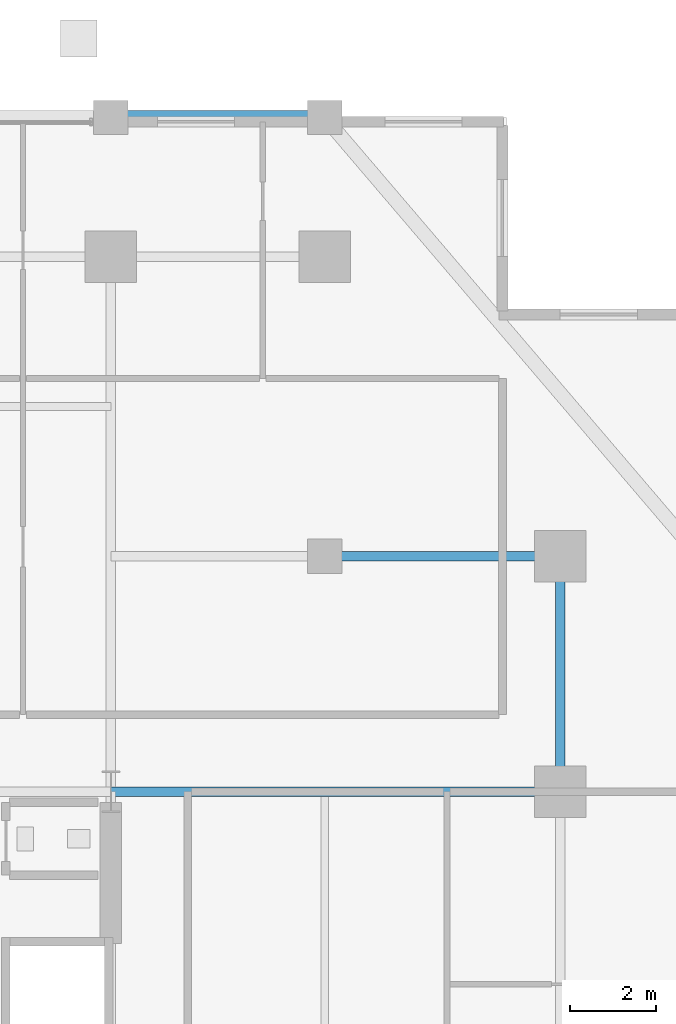
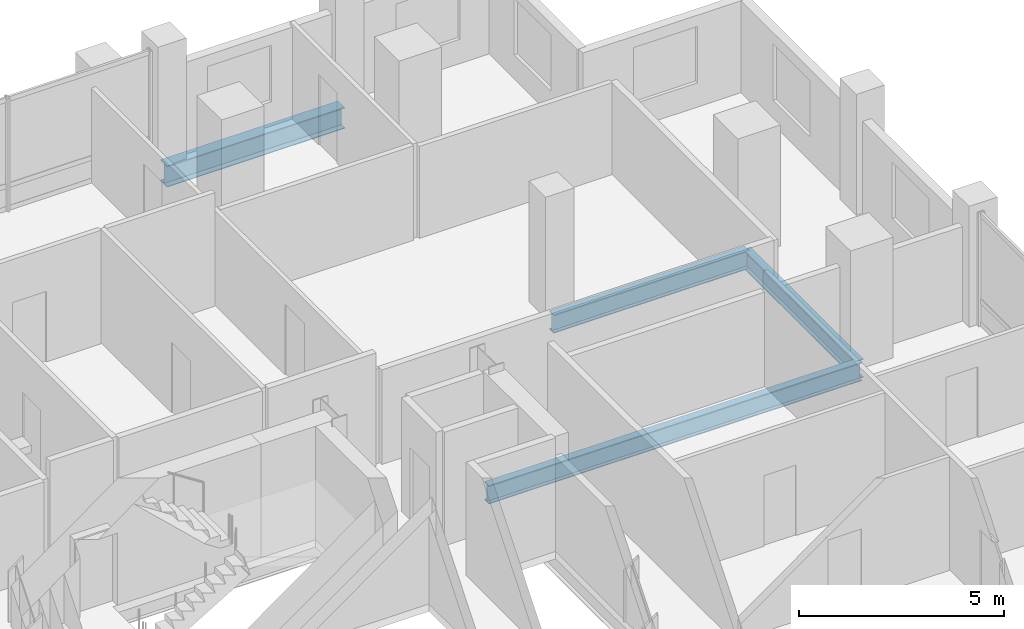
# One storey, part 11 of 20: 4 beams.
"""IFC4 building model written with IfcOpenShell, lengths in metres."""

from ifc_helpers import new_model, si_unit, direction, frame, origin, origin_2d, place, context, subcontext, project, spatial, i_section, extrude, material, material_profile, profile_set, type_object, element, save


model = new_model("IFC4")

# Units and contexts
model_context = context("Model", 3, precision=1e-05, world=origin(), true_north=direction((0.0, 1.0)))
body_context = subcontext(model_context, "Body", "Model", "MODEL_VIEW")
ifc_project = project(units=[si_unit("LENGTHUNIT", "METRE"), si_unit("AREAUNIT", "SQUARE_METRE"), si_unit("VOLUMEUNIT", "CUBIC_METRE"), si_unit("PLANEANGLEUNIT", "RADIAN"), si_unit("MASSUNIT", "GRAM", prefix="KILO")], contexts=[model_context])

# Site, building, storey
site_placement = place(None, origin())
site = spatial("IfcSite", under=ifc_project, at=site_placement, CompositionType="ELEMENT")
building_placement = place(site_placement, origin())
building = spatial("IfcBuilding", under=site, at=building_placement, Name="Barlavira Tower and Art Museum", CompositionType="ELEMENT")
storey_placement = place(building_placement, frame((0.0, 0.0, 102.60009765625)))
storey = spatial("IfcBuildingStorey", under=building, at=storey_placement, Name="L25", CompositionType="ELEMENT", Elevation=102.60009765625)

# Beams
ifc_material = material(Name="Steel S355", Category="steel")
ifc_material_profile_1 = material_profile(ifc_material, i_section(OverallWidth=0.327880859375, OverallDepth=0.62890625, WebThickness=0.013916015625, FlangeThickness=0.021484375, at=origin_2d()), Name="W610x174.0")
ifc_profile_set_1 = profile_set([ifc_material_profile_1], Name="Steel S355")
beam_type_1 = type_object("IfcBeamType", Name="Perimeter Spandrel Edge Beam W610x174 Steel S355", PredefinedType="SPANDREL", material=ifc_profile_set_1)
beam_1_placement = place(storey_placement, frame((6.5, 23.25, -0.53466796875), z_axis=(1.0, 0.0, 0.0), x_axis=(0.0, 1.0, 0.0)))
element("IfcBeam", 1, at=beam_1_placement, inside=storey, type_object=beam_type_1, Name="L25 Spandrel 9", PredefinedType="SPANDREL", context=body_context, shape_type="SweptSolid", body=[
    extrude(i_section(OverallWidth=0.327880859375, OverallDepth=0.62890625, WebThickness=0.013916015625, FlangeThickness=0.021484375, at=origin_2d()), origin(), (0.0, 0.0, 1.0), 5.0),
])
ifc_material_profile_2 = material_profile(ifc_material, i_section(OverallWidth=0.214111328125, OverallDepth=0.549072265625, WebThickness=0.0146484375, FlangeThickness=0.023681640625, at=origin_2d()), Name="W530x138.0")
ifc_profile_set_2 = profile_set([ifc_material_profile_2], Name="Steel S355")
beam_type_2 = type_object("IfcBeamType", Name="Zone 1 Primary Floor Girder W530x138 Steel S355", PredefinedType="BEAM", material=ifc_profile_set_2)
beam_2_placement = place(storey_placement, frame((17.0, 7.5, -0.49462890625), z_axis=(0.0, 1.0, 0.0), x_axis=(-1.0, 0.0, 0.0)))
element("IfcBeam", 2, at=beam_2_placement, inside=storey, type_object=beam_type_2, Name="L25 Girder M-E3", PredefinedType="BEAM", context=body_context, shape_type="SweptSolid", body=[
    extrude(i_section(OverallWidth=0.214111328125, OverallDepth=0.549072265625, WebThickness=0.0146484375, FlangeThickness=0.023681640625, at=origin_2d()), origin(), (0.0, 0.0, 1.0), 5.5),
])
beam_3_placement = place(storey_placement, frame((6.5, 7.5, -0.49462890625), z_axis=(1.0, 0.0, 0.0), x_axis=(0.0, 1.0, 0.0)))
element("IfcBeam", 3, at=beam_3_placement, inside=storey, type_object=beam_type_2, Name="L25 Girder R-E2", PredefinedType="BEAM", context=body_context, shape_type="SweptSolid", body=[
    extrude(i_section(OverallWidth=0.214111328125, OverallDepth=0.549072265625, WebThickness=0.0146484375, FlangeThickness=0.023681640625, at=origin_2d()), origin(), (0.0, 0.0, 1.0), 10.5),
])
beam_4_placement = place(storey_placement, frame((11.5, 13.0, -0.49462890625), z_axis=(1.0, 0.0, 0.0), x_axis=(0.0, 1.0, 0.0)))
element("IfcBeam", 4, at=beam_4_placement, inside=storey, type_object=beam_type_2, Name="L25 Girder I-N4", PredefinedType="BEAM", context=body_context, shape_type="SweptSolid", body=[
    extrude(i_section(OverallWidth=0.214111328125, OverallDepth=0.549072265625, WebThickness=0.0146484375, FlangeThickness=0.023681640625, at=origin_2d()), origin(), (0.0, 0.0, 1.0), 5.5),
])

save(model, "model.ifc")
